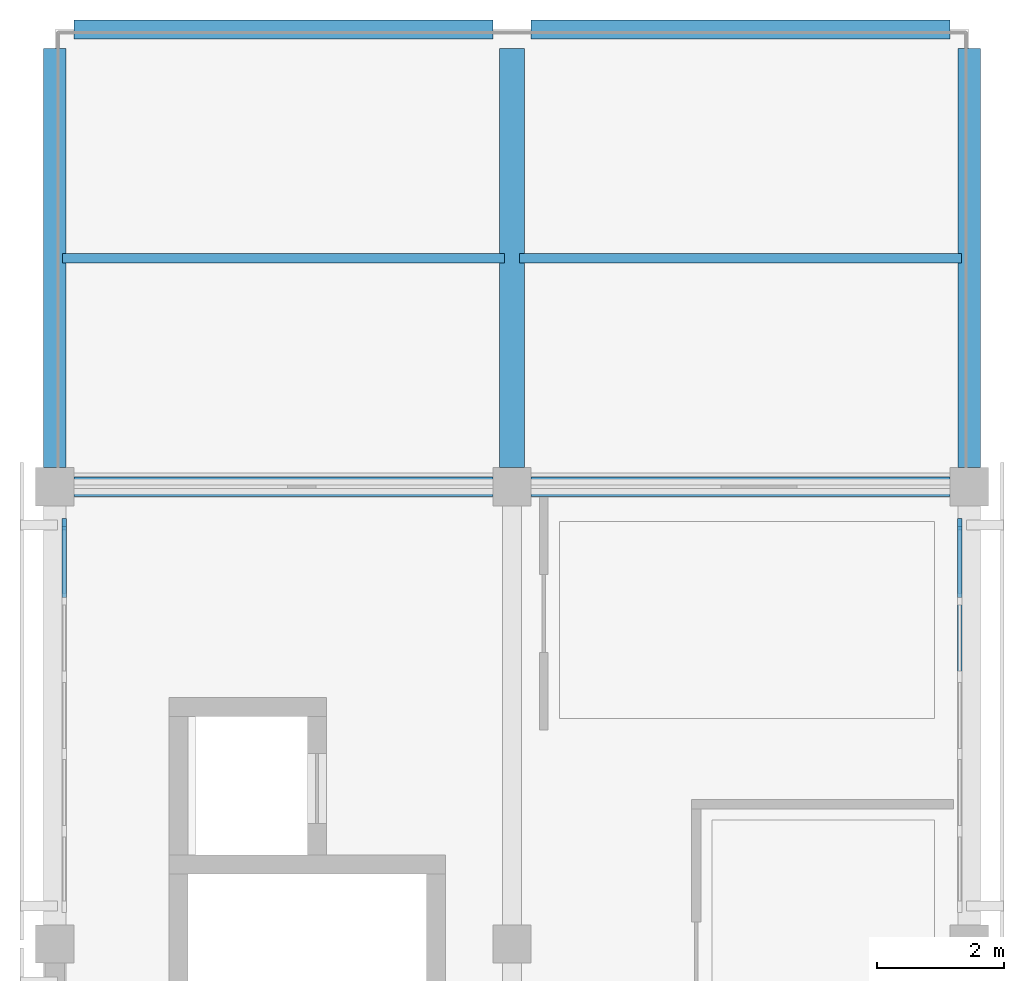
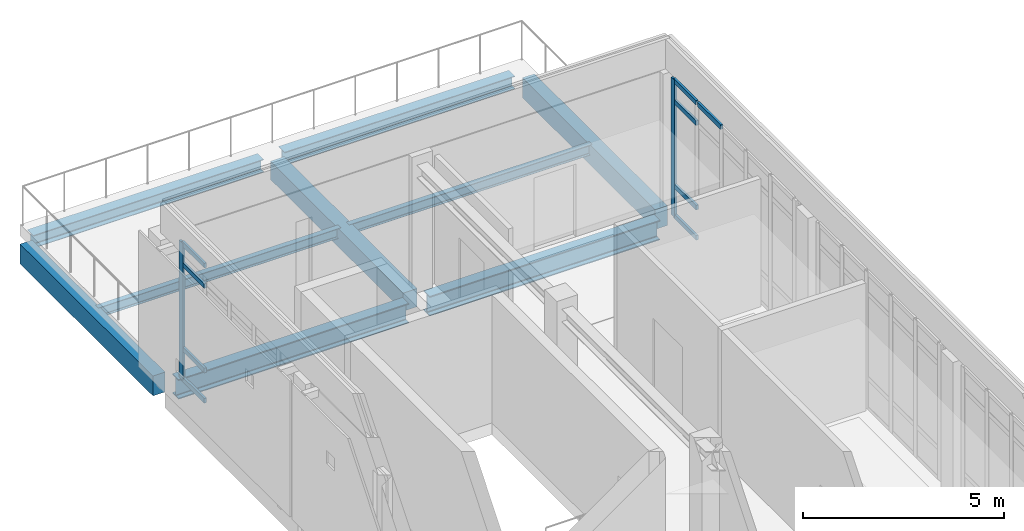
# One storey, part 9 of 19: 11 members, 9 beams, 2 elements without a shape of their own.
"""IFC4 building model written with IfcOpenShell, lengths in metres."""

from ifc_helpers import new_model, si_unit, direction, frame, origin, origin_2d, place, context, subcontext, project, spatial, rectangle, i_section, extrude, material, layer, layer_set, material_profile, profile_set, type_object, element, aggregate, save


model = new_model("IFC4")

# Units and contexts
model_context = context("Model", 3, precision=1e-05, world=origin(), true_north=direction((0.0, 1.0)))
body_context = subcontext(model_context, "Body", "Model", "MODEL_VIEW")
ifc_project = project(units=[si_unit("LENGTHUNIT", "METRE"), si_unit("AREAUNIT", "SQUARE_METRE"), si_unit("VOLUMEUNIT", "CUBIC_METRE"), si_unit("PLANEANGLEUNIT", "RADIAN"), si_unit("MASSUNIT", "GRAM", prefix="KILO")], contexts=[model_context])

# Site, building, storey
site_placement = place(None, origin())
site = spatial("IfcSite", under=ifc_project, at=site_placement, CompositionType="ELEMENT")
building_placement = place(site_placement, origin())
building = spatial("IfcBuilding", under=site, at=building_placement, Name="Valkovuoma Quantum and Materials Research Institute", CompositionType="ELEMENT")
storey_placement = place(building_placement, frame((0.0, 0.0, 38.080078125)))
storey = spatial("IfcBuildingStorey", under=building, at=storey_placement, Name="L09", CompositionType="ELEMENT", Elevation=38.080078125)

# Beams
ifc_material_1 = material(Name="Steel S355J2", Category="steel")
ifc_material_profile_1 = material_profile(ifc_material_1, i_section(OverallWidth=0.300048828125, OverallDepth=0.389892578125, WebThickness=0.010986328125, FlangeThickness=0.01904296875, FilletRadius=0.027099609375, at=origin_2d()), Name="Steel S355J2")
ifc_profile_set_1 = profile_set([ifc_material_profile_1], Name="Steel S355J2")
beam_type_1 = type_object("IfcBeamType", Name="Beam-B-HEA400", PredefinedType="SPANDREL", material=ifc_profile_set_1)
beam_1_placement = place(storey_placement, frame((0.300048828125, 93.60009765625, -0.545166015625), z_axis=(1.0, 0.0, 0.0), x_axis=(0.0, 1.0, 0.0)))
element("IfcBeam", 1, at=beam_1_placement, inside=storey, type_object=beam_type_1, Name="L09 beam X-2586", PredefinedType="SPANDREL", context=body_context, shape_type="SweptSolid", body=[
    extrude(i_section(OverallWidth=0.300048828125, OverallDepth=0.389892578125, WebThickness=0.010986328125, FlangeThickness=0.01904296875, FilletRadius=0.027099609375, at=origin_2d()), origin(), (0.0, 0.0, 1.0), 6.599853515625),
])
beam_2_placement = place(storey_placement, frame((7.5, 93.60009765625, -0.545166015625), z_axis=(1.0, 0.0, 0.0), x_axis=(0.0, 1.0, 0.0)))
element("IfcBeam", 2, at=beam_2_placement, inside=storey, type_object=beam_type_1, Name="L09 beam X-2587", PredefinedType="SPANDREL", context=body_context, shape_type="SweptSolid", body=[
    extrude(i_section(OverallWidth=0.300048828125, OverallDepth=0.389892578125, WebThickness=0.010986328125, FlangeThickness=0.01904296875, FilletRadius=0.027099609375, at=origin_2d()), origin(), (0.0, 0.0, 1.0), 6.60009765625),
])
ifc_material_2 = material(Name="Steel S355J2", Category="steel")
ifc_material_profile_2 = material_profile(ifc_material_2, i_section(OverallWidth=0.300048828125, OverallDepth=0.60009765625, WebThickness=0.015380859375, FlangeThickness=0.030029296875, FilletRadius=0.027099609375, at=origin_2d()), Name="Steel S355J2")
ifc_profile_set_2 = profile_set([ifc_material_profile_2], Name="Steel S355J2")
beam_type_2 = type_object("IfcBeamType", Name="Beam-B-HEB600", PredefinedType="BEAM", material=ifc_profile_set_2)
beam_3_placement = place(storey_placement, frame((0.300048828125, 86.39990234375, -0.650146484375), z_axis=(1.0, 0.0, 0.0), x_axis=(0.0, 1.0, 0.0)))
element("IfcBeam", 3, at=beam_3_placement, inside=storey, type_object=beam_type_2, Name="L09 beam X-2584", PredefinedType="BEAM", context=body_context, shape_type="SweptSolid", body=[
    extrude(i_section(OverallWidth=0.300048828125, OverallDepth=0.60009765625, WebThickness=0.015380859375, FlangeThickness=0.030029296875, FilletRadius=0.027099609375, at=origin_2d()), origin(), (0.0, 0.0, 1.0), 6.599853515625),
])
beam_4_placement = place(storey_placement, frame((7.5, 86.39990234375, -0.650146484375), z_axis=(1.0, 0.0, 0.0), x_axis=(0.0, 1.0, 0.0)))
element("IfcBeam", 4, at=beam_4_placement, inside=storey, type_object=beam_type_2, Name="L09 beam X-2585", PredefinedType="BEAM", context=body_context, shape_type="SweptSolid", body=[
    extrude(i_section(OverallWidth=0.300048828125, OverallDepth=0.60009765625, WebThickness=0.015380859375, FlangeThickness=0.030029296875, FilletRadius=0.027099609375, at=origin_2d()), origin(), (0.0, 0.0, 1.0), 6.60009765625),
])
ifc_material_3 = material(Name="Steel S355J2", Category="steel")
ifc_material_profile_3 = material_profile(ifc_material_3, i_section(OverallWidth=0.14990234375, OverallDepth=0.300048828125, WebThickness=0.007080078125, FlangeThickness=0.0107421875, FilletRadius=0.014892578125, at=origin_2d()), Name="Steel S355J2")
ifc_profile_set_3 = profile_set([ifc_material_profile_3], Name="Steel S355J2")
beam_type_3 = type_object("IfcBeamType", Name="Beam-B-JST300", PredefinedType="JOIST", material=ifc_profile_set_3)
for number, where, z_axis, x_axis, name in (
    (5, (0.1201171875, 90.0, -0.5), (1.0, 0.0, 0.0), (0.0, 1.0, 0.0), "L09 floor joist 2610"),
    (6, (7.320068359375, 90.0, -0.5), (1.0, 0.0, 0.0), (0.0, 1.0, 0.0), "L09 floor joist 2611"),
):
    element("IfcBeam", number, at=place(storey_placement, frame(where, z_axis=z_axis, x_axis=x_axis)), inside=storey, type_object=beam_type_3, Name=name, PredefinedType="JOIST", context=body_context, shape_type="SweptSolid", body=[
        extrude(i_section(OverallWidth=0.14990234375, OverallDepth=0.300048828125, WebThickness=0.007080078125, FlangeThickness=0.0107421875, FilletRadius=0.014892578125, at=origin_2d()), origin(), (0.0, 0.0, 1.0), 6.9599609375),
    ])
ifc_material_4 = material(Name="Concrete C40/50", Category="concrete")
ifc_material_profile_4 = material_profile(ifc_material_4, rectangle(XDim=0.39990234375, YDim=0.550048828125, at=origin_2d()), Name="Concrete C40/50")
ifc_profile_set_4 = profile_set([ifc_material_profile_4], Name="Concrete C40/50")
beam_type_4 = type_object("IfcBeamType", Name="Beam-B-RC550", PredefinedType="BEAM", material=ifc_profile_set_4)
beam_5_placement = place(storey_placement, frame((7.199951171875, 86.699951171875, -0.625), z_axis=(0.0, 1.0, 0.0), x_axis=(-1.0, 0.0, 0.0)))
element("IfcBeam", 7, at=beam_5_placement, inside=storey, type_object=beam_type_4, Name="L09 beam Y-2595", PredefinedType="BEAM", context=body_context, shape_type="SweptSolid", body=[
    extrude(rectangle(XDim=0.39990234375, YDim=0.550048828125, at=origin_2d()), origin(), (0.0, 0.0, 1.0), 6.60009765625),
])
ifc_material_5 = material(Name="Concrete C40/50", Category="concrete")
ifc_material_profile_5 = material_profile(ifc_material_5, rectangle(XDim=0.35009765625, YDim=0.60009765625, at=origin_2d()), Name="Concrete C40/50")
ifc_profile_set_5 = profile_set([ifc_material_profile_5], Name="Concrete C40/50")
beam_type_5 = type_object("IfcBeamType", Name="Beam-B-SPN600", PredefinedType="SPANDREL", material=ifc_profile_set_5)
for number, where, z_axis, x_axis, name in (
    (8, (0.0, 86.699951171875, -0.650146484375), (0.0, 1.0, 0.0), (-1.0, 0.0, 0.0), "L09 beam Y-2592"),
    (9, (14.39990234375, 86.699951171875, -0.650146484375), (0.0, 1.0, 0.0), (-1.0, 0.0, 0.0), "L09 beam Y-2600"),
):
    element("IfcBeam", number, at=place(storey_placement, frame(where, z_axis=z_axis, x_axis=x_axis)), inside=storey, type_object=beam_type_5, Name=name, PredefinedType="SPANDREL", context=body_context, shape_type="SweptSolid", body=[
        extrude(rectangle(XDim=0.35009765625, YDim=0.60009765625, at=origin_2d()), origin(), (0.0, 0.0, 1.0), 6.60009765625),
    ])

# Curtain wall, member
ifc_material_6 = material(Name="Thermally broken aluminium and triple low-E glazing", Category="aluminium")
ifc_layer = layer(ifc_material_6, 0.219970703125)
ifc_layer_set = layer_set([ifc_layer], Name="Thermally broken aluminium and triple low-E glazing")
curtain_wall_type = type_object("IfcCurtainWallType", Name="CW-CW-01", PredefinedType="NOTDEFINED", material=ifc_layer_set)
curtain_wall_1_placement = place(storey_placement, origin())
curtain_wall_1 = element("IfcCurtainWall", 10, at=curtain_wall_1_placement, inside=storey, type_object=curtain_wall_type, Name="L09 curtain wall 141", PredefinedType="NOTDEFINED")
ifc_material_7 = material(Name="Anodised aluminium 6060-T66", Category="aluminium")
ifc_material_profile_6 = material_profile(ifc_material_7, rectangle(XDim=0.06494140625, YDim=0.179931640625, at=origin_2d()), Name="Anodised aluminium 6060-T66")
ifc_profile_set_6 = profile_set([ifc_material_profile_6], Name="Anodised aluminium 6060-T66")
member_type_1 = type_object("IfcMemberType", Name="CWMull-CWM-01", PredefinedType="MULLION", material=ifc_profile_set_6)
member_1_placement = place(storey_placement, frame((0.14990234375, 85.810302734375, 0.0), z_axis=(0.0, 0.0, 1.0), x_axis=(-1.0, 0.0, 0.0)))
member_1 = element("IfcMember", 11, at=member_1_placement, type_object=member_type_1, Name="CW-01 mullion 6", PredefinedType="MULLION", context=body_context, shape_type="SweptSolid", body=[
    extrude(rectangle(XDim=0.06494140625, YDim=0.179931640625, at=origin_2d()), origin(), (0.0, 0.0, 1.0), 4.159912109375),
])

curtain_wall_2_placement = place(storey_placement, origin())
curtain_wall_2 = element("IfcCurtainWall", 12, at=curtain_wall_2_placement, inside=storey, type_object=curtain_wall_type, Name="L09 curtain wall 142", PredefinedType="NOTDEFINED")
member_2_placement = place(storey_placement, frame((14.25, 85.810302734375, 0.0), z_axis=(0.0, 0.0, 1.0), x_axis=(-1.0, 0.0, 0.0)))
member_2 = element("IfcMember", 13, at=member_2_placement, type_object=member_type_1, Name="CW-01 mullion 6", PredefinedType="MULLION", context=body_context, shape_type="SweptSolid", body=[
    extrude(rectangle(XDim=0.06494140625, YDim=0.179931640625, at=origin_2d()), origin(), (0.0, 0.0, 1.0), 4.159912109375),
])

# Member
ifc_material_8 = material(Name="Anodised aluminium 6060-T66", Category="aluminium")
ifc_material_profile_7 = material_profile(ifc_material_8, rectangle(XDim=0.06494140625, YDim=0.139892578125, at=origin_2d()), Name="Anodised aluminium 6060-T66")
ifc_profile_set_7 = profile_set([ifc_material_profile_7], Name="Anodised aluminium 6060-T66")
member_type_2 = type_object("IfcMemberType", Name="CWTran-CWT-01", PredefinedType="USERDEFINED", material=ifc_profile_set_7)
member_3_placement = place(storey_placement, frame((0.14990234375, 84.658203125, 0.032470703125), z_axis=(0.0, 1.0, 0.0), x_axis=(-1.0, 0.0, 0.0)))
member_3 = element("IfcMember", 14, at=member_3_placement, type_object=member_type_2, Name="CW-01 transom 5.1", ObjectType="TRANSOM", PredefinedType="USERDEFINED", context=body_context, shape_type="SweptSolid", body=[
    extrude(rectangle(XDim=0.06494140625, YDim=0.139892578125, at=origin_2d()), origin(), (0.0, 0.0, 1.0), 1.11962890625),
])

member_4_placement = place(storey_placement, frame((0.14990234375, 84.658203125, 0.949951171875), z_axis=(0.0, 1.0, 0.0), x_axis=(-1.0, 0.0, 0.0)))
member_4 = element("IfcMember", 15, at=member_4_placement, type_object=member_type_2, Name="CW-01 transom 5.2", ObjectType="TRANSOM", PredefinedType="USERDEFINED", context=body_context, shape_type="SweptSolid", body=[
    extrude(rectangle(XDim=0.06494140625, YDim=0.139892578125, at=origin_2d()), origin(), (0.0, 0.0, 1.0), 1.11962890625),
])

member_5_placement = place(storey_placement, frame((0.14990234375, 84.658203125, 3.510009765625), z_axis=(0.0, 1.0, 0.0), x_axis=(-1.0, 0.0, 0.0)))
member_5 = element("IfcMember", 16, at=member_5_placement, type_object=member_type_2, Name="CW-01 transom 5.3", ObjectType="TRANSOM", PredefinedType="USERDEFINED", context=body_context, shape_type="SweptSolid", body=[
    extrude(rectangle(XDim=0.06494140625, YDim=0.139892578125, at=origin_2d()), origin(), (0.0, 0.0, 1.0), 1.11962890625),
])

member_6_placement = place(storey_placement, frame((0.14990234375, 84.658203125, 4.12744140625), z_axis=(0.0, 1.0, 0.0), x_axis=(-1.0, 0.0, 0.0)))
member_6 = element("IfcMember", 17, at=member_6_placement, type_object=member_type_2, Name="CW-01 transom 5.4", ObjectType="TRANSOM", PredefinedType="USERDEFINED", context=body_context, shape_type="SweptSolid", body=[
    extrude(rectangle(XDim=0.06494140625, YDim=0.139892578125, at=origin_2d()), origin(), (0.0, 0.0, 1.0), 1.11962890625),
])

aggregate(curtain_wall_1, [member_1, member_3, member_4, member_5, member_6])

member_7_placement = place(storey_placement, frame((14.25, 83.441162109375, 4.12744140625), z_axis=(0.0, 1.0, 0.0), x_axis=(-1.0, 0.0, 0.0)))
member_7 = element("IfcMember", 18, at=member_7_placement, type_object=member_type_2, Name="CW-01 transom 4.4", ObjectType="TRANSOM", PredefinedType="USERDEFINED", context=body_context, shape_type="SweptSolid", body=[
    extrude(rectangle(XDim=0.06494140625, YDim=0.139892578125, at=origin_2d()), origin(), (0.0, 0.0, 1.0), 1.152099609375),
])

member_8_placement = place(storey_placement, frame((14.25, 84.658203125, 0.032470703125), z_axis=(0.0, 1.0, 0.0), x_axis=(-1.0, 0.0, 0.0)))
member_8 = element("IfcMember", 19, at=member_8_placement, type_object=member_type_2, Name="CW-01 transom 5.1", ObjectType="TRANSOM", PredefinedType="USERDEFINED", context=body_context, shape_type="SweptSolid", body=[
    extrude(rectangle(XDim=0.06494140625, YDim=0.139892578125, at=origin_2d()), origin(), (0.0, 0.0, 1.0), 1.11962890625),
])

member_9_placement = place(storey_placement, frame((14.25, 84.658203125, 0.949951171875), z_axis=(0.0, 1.0, 0.0), x_axis=(-1.0, 0.0, 0.0)))
member_9 = element("IfcMember", 20, at=member_9_placement, type_object=member_type_2, Name="CW-01 transom 5.2", ObjectType="TRANSOM", PredefinedType="USERDEFINED", context=body_context, shape_type="SweptSolid", body=[
    extrude(rectangle(XDim=0.06494140625, YDim=0.139892578125, at=origin_2d()), origin(), (0.0, 0.0, 1.0), 1.11962890625),
])

member_10_placement = place(storey_placement, frame((14.25, 84.658203125, 3.510009765625), z_axis=(0.0, 1.0, 0.0), x_axis=(-1.0, 0.0, 0.0)))
member_10 = element("IfcMember", 21, at=member_10_placement, type_object=member_type_2, Name="CW-01 transom 5.3", ObjectType="TRANSOM", PredefinedType="USERDEFINED", context=body_context, shape_type="SweptSolid", body=[
    extrude(rectangle(XDim=0.06494140625, YDim=0.139892578125, at=origin_2d()), origin(), (0.0, 0.0, 1.0), 1.11962890625),
])

member_11_placement = place(storey_placement, frame((14.25, 84.658203125, 4.12744140625), z_axis=(0.0, 1.0, 0.0), x_axis=(-1.0, 0.0, 0.0)))
member_11 = element("IfcMember", 22, at=member_11_placement, type_object=member_type_2, Name="CW-01 transom 5.4", ObjectType="TRANSOM", PredefinedType="USERDEFINED", context=body_context, shape_type="SweptSolid", body=[
    extrude(rectangle(XDim=0.06494140625, YDim=0.139892578125, at=origin_2d()), origin(), (0.0, 0.0, 1.0), 1.11962890625),
])

aggregate(curtain_wall_2, [member_2, member_7, member_8, member_9, member_10, member_11])

save(model, "model.ifc")
